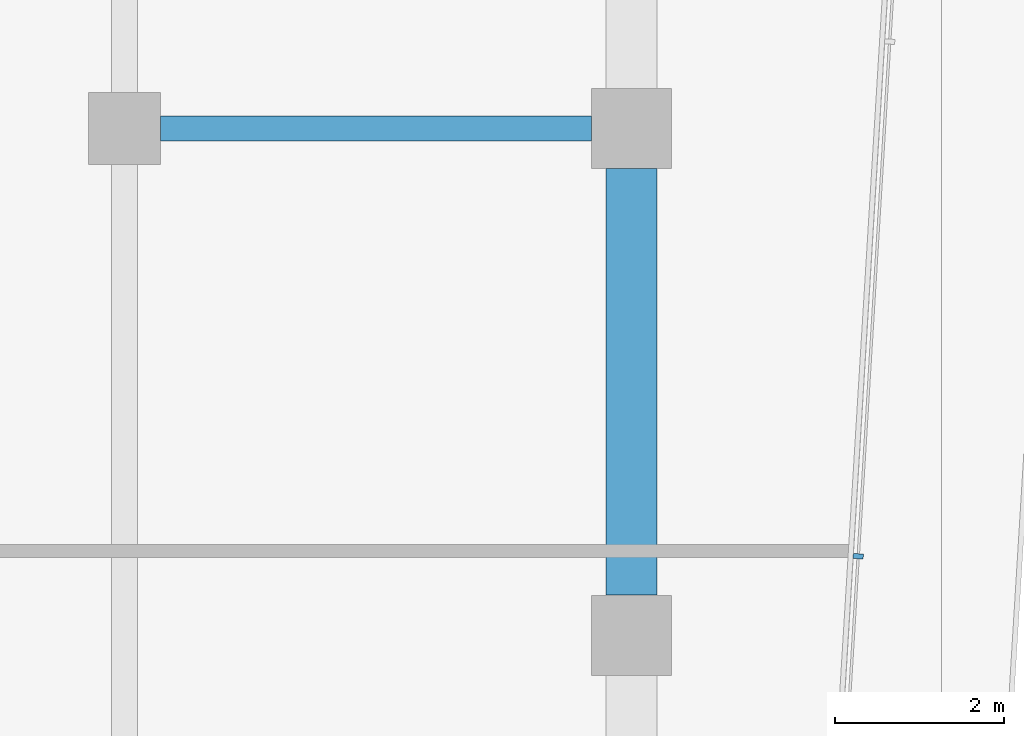
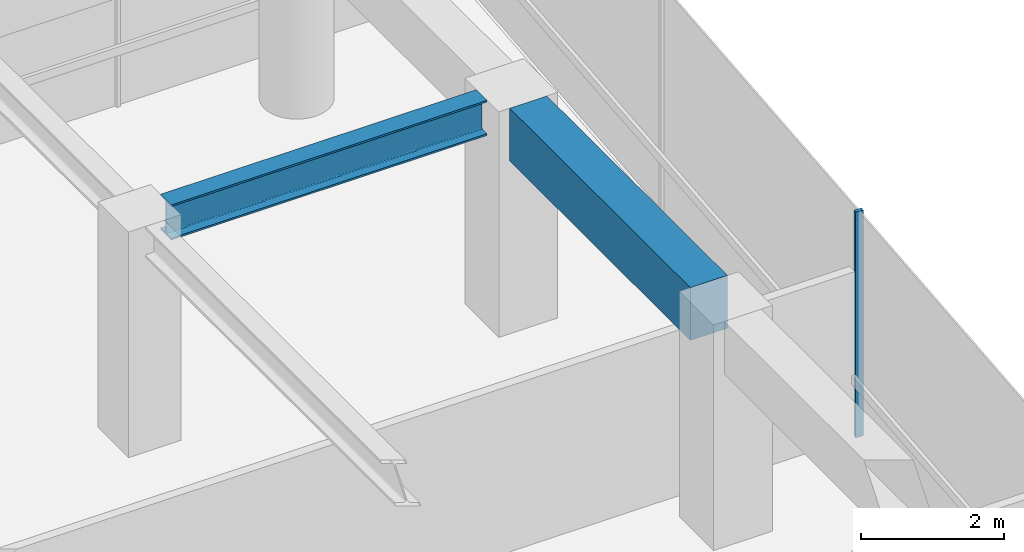
# One storey, part 17 of 27: 2 beams, 1 member, 1 element without a shape of its own.
"""IFC4 building model written with IfcOpenShell, lengths in metres."""

from ifc_helpers import new_model, si_unit, direction, frame, origin, origin_2d, place, context, subcontext, project, spatial, rectangle, i_section, extrude, material, layer, layer_set, material_profile, profile_set, type_object, element, aggregate, save


model = new_model("IFC4")

# Units and contexts
model_context = context("Model", 3, precision=1e-05, world=origin(), true_north=direction((0.0, 1.0)))
body_context = subcontext(model_context, "Body", "Model", "MODEL_VIEW")
ifc_project = project(units=[si_unit("LENGTHUNIT", "METRE"), si_unit("AREAUNIT", "SQUARE_METRE"), si_unit("VOLUMEUNIT", "CUBIC_METRE"), si_unit("PLANEANGLEUNIT", "RADIAN"), si_unit("MASSUNIT", "GRAM", prefix="KILO")], contexts=[model_context])

# Site, building, storey
site_placement = place(None, origin())
site = spatial("IfcSite", under=ifc_project, at=site_placement, CompositionType="ELEMENT")
building_placement = place(site_placement, origin())
building = spatial("IfcBuilding", under=site, at=building_placement, Name="Welwitschia Terrace Campus", CompositionType="ELEMENT")
storey_placement = place(building_placement, frame((0.0, 0.0, 37.39990234375)))
storey = spatial("IfcBuildingStorey", under=building, at=storey_placement, Name="L08", CompositionType="ELEMENT", Elevation=37.39990234375)

# Curtain wall, member
ifc_material_1 = material(Name="Bronze anodised aluminium", Category="aluminium")
ifc_layer = layer(ifc_material_1, 0.1201171875)
ifc_layer_set = layer_set([ifc_layer], Name="Bronze anodised aluminium")
curtain_wall_type = type_object("IfcCurtainWallType", Name="Curtain wall CW2 tower 6000", PredefinedType="NOTDEFINED", material=ifc_layer_set)
curtain_wall_placement = place(storey_placement, origin())
curtain_wall = element("IfcCurtainWall", 1, at=curtain_wall_placement, inside=storey, type_object=curtain_wall_type, Name="CW L08.11.0", PredefinedType="NOTDEFINED")
ifc_material_2 = material(Name="Bronze anodised aluminium", Category="aluminium")
ifc_material_profile_1 = material_profile(ifc_material_2, rectangle(XDim=0.1201171875, YDim=0.06005859375, at=origin_2d()))
ifc_profile_set_1 = profile_set([ifc_material_profile_1], Name="Bronze anodised aluminium")
member_type = type_object("IfcMemberType", Name="Mullion 60x120", PredefinedType="MULLION", material=ifc_profile_set_1)
member_placement = place(storey_placement, frame((26.683837890625, 50.936767578125, 0.0), z_axis=(0.0, 0.0, 1.0), x_axis=(-0.998134798422, 0.061048539535, 0.0)))
member = element("IfcMember", 2, at=member_placement, type_object=member_type, Name="Mullion L08.11.0.4", PredefinedType="MULLION", context=body_context, shape_type="SweptSolid", body=[
    extrude(rectangle(XDim=0.1201171875, YDim=0.06005859375, at=origin_2d()), origin(), (0.0, 0.0, 1.0), 3.85009765625),
])
aggregate(curtain_wall, [member])

# Beams
ifc_material_3 = material(Name="Steel S355", Category="steel")
ifc_material_profile_2 = material_profile(ifc_material_3, i_section(OverallWidth=0.300048828125, OverallDepth=0.60009765625, WebThickness=0.015380859375, FlangeThickness=0.030029296875, FilletRadius=0.027099609375, at=origin_2d()))
ifc_profile_set_2 = profile_set([ifc_material_profile_2], Name="Steel S355")
beam_type_1 = type_object("IfcBeamType", Name="Primary beam HE 600 B", PredefinedType="BEAM", material=ifc_profile_set_2)
beam_1_placement = place(storey_placement, frame((23.5244140625, 56.0, 3.550048828125), z_axis=(-1.0, 0.0, 0.0), x_axis=(0.0, -1.0, 0.0)))
element("IfcBeam", 3, at=beam_1_placement, inside=storey, type_object=beam_type_1, Name="Primary beam PB2", PredefinedType="BEAM", context=body_context, shape_type="SweptSolid", body=[
    extrude(i_section(OverallWidth=0.300048828125, OverallDepth=0.60009765625, WebThickness=0.015380859375, FlangeThickness=0.030029296875, FilletRadius=0.027099609375, at=origin_2d()), origin(), (0.0, 0.0, 1.0), 5.098876953125),
])
ifc_material_4 = material(Name="Concrete C60/75", Category="concrete")
ifc_material_profile_3 = material_profile(ifc_material_4, rectangle(XDim=0.60009765625, YDim=0.89990234375, at=origin_2d()))
ifc_profile_set_3 = profile_set([ifc_material_profile_3], Name="Concrete C60/75")
beam_type_2 = type_object("IfcBeamType", Name="Ring spandrel 600x900", PredefinedType="SPANDREL", material=ifc_profile_set_3)
beam_2_placement = place(storey_placement, frame((24.0, 50.4755859375, 3.400146484375), z_axis=(0.0, 1.0, 0.0), x_axis=(-1.0, 0.0, 0.0)))
element("IfcBeam", 4, at=beam_2_placement, inside=storey, type_object=beam_type_2, Name="Spandrel SP2", PredefinedType="SPANDREL", context=body_context, shape_type="SweptSolid", body=[
    extrude(rectangle(XDim=0.60009765625, YDim=0.89990234375, at=origin_2d()), origin(), (0.0, 0.0, 1.0), 5.048828125),
])

save(model, "model.ifc")
